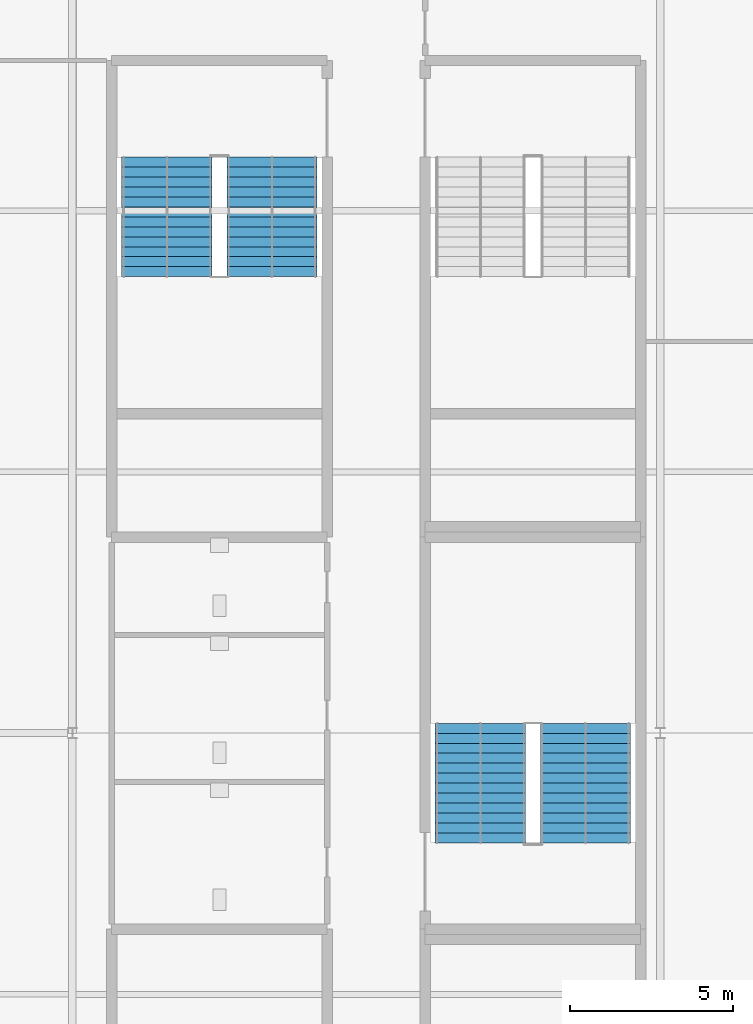
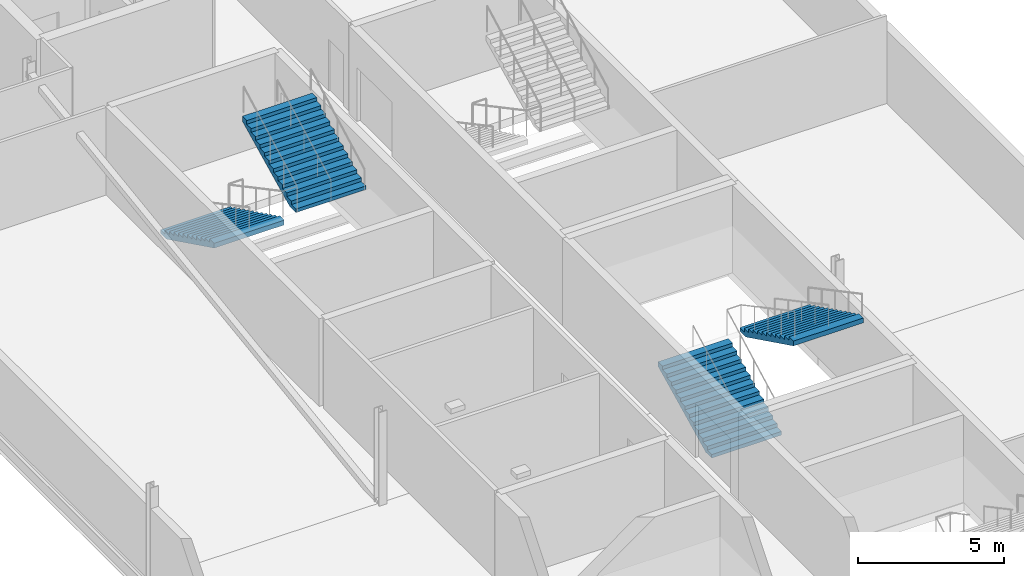
# One storey, part 19 of 27: 4 stair flights, 2 elements without a shape of their own.
"""IFC4 building model written with IfcOpenShell, lengths in metres."""

import ifcopenshell
import ifcopenshell.guid

model = None  # the IFC model being written
_history = None  # IfcOwnerHistory: only IFC2X3 demands one
_inside = {}  # id of a spatial element -> (the spatial element, [elements in it])
_under = {}  # id of a project, library or spatial element -> (it, [spatial elements below it])
_declared = {}  # id of a project -> (the project, [libraries it declares])
_typed = {}  # id of a type object -> (the type object, [elements of that type])
_made_of = {}  # id of a material, layer set ... -> (it, [elements and type objects made of it])


def new_model(schema):
    """Start an empty IFC model of exactly this schema.

    Asked for "IFC4X3", IfcOpenShell would pick the latest addendum, in which some entities
    have other attributes; the version numbers below select the first issue.
    IFC2X3 requires an IfcOwnerHistory on every rooted entity: one is made here for all.
    """
    global model, _history
    if schema == "IFC4X3":
        model = ifcopenshell.file(schema_version=(4, 3, 0, 0))
    else:
        model = ifcopenshell.file(schema=schema)
    _inside.clear()
    _under.clear()
    _declared.clear()
    _typed.clear()
    _made_of.clear()
    _history = None
    if model.schema == "IFC2X3":
        org = make("IfcOrganization", Name="unknown")
        user = make(
            "IfcPersonAndOrganization",
            ThePerson=make("IfcPerson", FamilyName="unknown"),
            TheOrganization=org,
        )
        app = make(
            "IfcApplication",
            ApplicationDeveloper=org,
            Version="unknown",
            ApplicationFullName="unknown",
            ApplicationIdentifier="unknown",
        )
        _history = make(
            "IfcOwnerHistory",
            OwningUser=user,
            OwningApplication=app,
            ChangeAction="ADDED",
            CreationDate=0,
        )
    return model


def make(cls, **values):
    """One entity of the class cls with the attributes given. An attribute that is None is left unset."""
    return model.create_entity(
        cls, **{name: value for name, value in values.items() if value is not None}
    )


def rooted(cls, **values):
    """An entity with a GlobalId (a new one), such as an element, a storey or a relation."""
    return make(cls, GlobalId=ifcopenshell.guid.new(), OwnerHistory=_history, **values)


def si_unit(unit_type, name, prefix=None):
    """IfcSIUnit, for example si_unit("LENGTHUNIT", "METRE", prefix="MILLI")."""
    return make("IfcSIUnit", UnitType=unit_type, Prefix=prefix, Name=name)


def assignment(units):
    """IfcUnitAssignment: the units of a project."""
    return None if units is None else make("IfcUnitAssignment", Units=units)


def point(xyz):
    """IfcCartesianPoint."""
    return None if xyz is None else make("IfcCartesianPoint", Coordinates=xyz)


def direction(xyz):
    """IfcDirection."""
    return None if xyz is None else make("IfcDirection", DirectionRatios=xyz)


def frame(location, z_axis=None, x_axis=None):
    """IfcAxis2Placement3D, a coordinate frame: its origin and axes. An axis left out is left unset."""
    return make(
        "IfcAxis2Placement3D",
        Location=point(location),
        Axis=direction(z_axis),
        RefDirection=direction(x_axis),
    )


def origin():
    """The frame at (0, 0, 0) with its axes left unset."""
    return frame((0.0, 0.0, 0.0))


def place(relative_to, where):
    """IfcLocalPlacement: puts the frame where relative to a parent placement (None: the world)."""
    return make(
        "IfcLocalPlacement", PlacementRelTo=relative_to, RelativePlacement=where
    )


def context(
    kind, dimensions, precision=None, world=None, true_north=None, identifier=None
):
    """IfcGeometricRepresentationContext, for example the 3D "Model" context."""
    return make(
        "IfcGeometricRepresentationContext",
        ContextIdentifier=identifier,
        ContextType=kind,
        CoordinateSpaceDimension=dimensions,
        Precision=precision,
        WorldCoordinateSystem=world,
        TrueNorth=true_north,
    )


def subcontext(parent, identifier, kind, view, scale=None):
    """IfcGeometricRepresentationSubContext, for example "Body" below "Model"."""
    return make(
        "IfcGeometricRepresentationSubContext",
        ContextIdentifier=identifier,
        ContextType=kind,
        ParentContext=parent,
        TargetScale=scale,
        TargetView=view,
    )


def project(units=None, contexts=None):
    """IfcProject with its units and contexts."""
    return rooted(
        "IfcProject",
        Name="project",
        RepresentationContexts=contexts,
        UnitsInContext=assignment(units),
    )


def spatial(cls, under=None, at=None, **own):
    """A site, building, storey or space (cls), placed at a placement, below another one or the project."""
    s = rooted(cls, ObjectPlacement=at, **own)
    if under is not None:
        _under.setdefault(under.id(), (under, []))[1].append(s)
    return s


def point_list(points):
    """IfcCartesianPointList2D or 3D."""
    cls = (
        "IfcCartesianPointList2D" if len(points[0]) == 2 else "IfcCartesianPointList3D"
    )
    return make(cls, CoordList=points)


def polygons(points, faces, closed=None, point_numbers=None):
    """IfcPolygonalFaceSet: a face is its outer loop, then its inner loops; points numbered from 1."""
    made = []
    for loops in faces:
        if len(loops) == 1:
            made.append(make("IfcIndexedPolygonalFace", CoordIndex=loops[0]))
        else:
            made.append(
                make(
                    "IfcIndexedPolygonalFaceWithVoids",
                    CoordIndex=loops[0],
                    InnerCoordIndices=loops[1:],
                )
            )
    return make(
        "IfcPolygonalFaceSet",
        Coordinates=point_list(points),
        Closed=closed,
        Faces=made,
        PnIndex=point_numbers,
    )


def shape(context_of_items, identifier, shape_type, items):
    """IfcShapeRepresentation: the items that make up one representation, for example the "Body"."""
    return make(
        "IfcShapeRepresentation",
        ContextOfItems=context_of_items,
        RepresentationIdentifier=identifier,
        RepresentationType=shape_type,
        Items=items,
    )


def material(Name=None, Category=None):
    """IfcMaterial."""
    return make("IfcMaterial", Name=Name, Category=Category)


def made_of(thing, what):
    """Note that an element or type object is made of a material, layer set ...; save() writes the relation."""
    if what is not None:
        _made_of.setdefault(what.id(), (what, []))[1].append(thing)
    return thing


def type_object(cls, material=None, **own):
    """A type object (cls), such as IfcWallType, which elements share."""
    return made_of(rooted(cls, **own), material)


def element(
    cls,
    number,
    at=None,
    inside=None,
    cuts=None,
    type_object=None,
    material=None,
    context=None,
    identifier="Body",
    shape_type=None,
    held_by="IfcProductDefinitionShape",
    body=None,
    shapes=None,
    **own,
):
    """One element of the class cls, such as IfcWall. Its Tag is "e" and its number.

    at: its placement. inside: the storey or other place that contains it. cuts: it is an
    opening in that element (IfcRelVoidsElement). A single representation is given by context,
    identifier, shape_type and body (its items); several are given by shapes. held_by: the class
    of the entity that holds the representations. save() writes the other relations.
    """
    e = rooted(cls, Tag="e%d" % number, ObjectPlacement=at, **own)
    if body is not None:
        shapes = [shape(context, identifier, shape_type, body)]
    if shapes is not None:
        e.Representation = make(held_by, Representations=shapes)
    if inside is not None:
        _inside.setdefault(inside.id(), (inside, []))[1].append(e)
    if cuts is not None:
        rooted(
            "IfcRelVoidsElement", RelatingBuildingElement=cuts, RelatedOpeningElement=e
        )
    if type_object is not None:
        _typed.setdefault(type_object.id(), (type_object, []))[1].append(e)
    return made_of(e, material)


def aggregate(whole, parts):
    """IfcRelAggregates: a whole, such as a stair, and the parts it consists of."""
    return rooted("IfcRelAggregates", RelatingObject=whole, RelatedObjects=parts)


def save(model, path):
    """Write the relations noted so far, then the file.

    IfcRelAggregates (storeys below a building ...), IfcRelContainedInSpatialStructure (elements
    in a storey), IfcRelDefinesByType, IfcRelAssociatesMaterial and IfcRelDeclares: one each for
    every whole, place, type object, material and project.
    """
    for whole, parts in _under.values():
        aggregate(whole, parts)
    for where, things in _inside.values():
        rooted(
            "IfcRelContainedInSpatialStructure",
            RelatedElements=things,
            RelatingStructure=where,
        )
    for kind, things in _typed.values():
        rooted("IfcRelDefinesByType", RelatedObjects=things, RelatingType=kind)
    for what, things in _made_of.values():
        rooted("IfcRelAssociatesMaterial", RelatedObjects=things, RelatingMaterial=what)
    for by, libraries in _declared.values():
        rooted("IfcRelDeclares", RelatingContext=by, RelatedDefinitions=libraries)
    model.write(path)


model = new_model("IFC4")

# Units and contexts
model_context = context("Model", 3, precision=1e-05, world=origin(), true_north=direction((0.0, 1.0)))
body_context = subcontext(model_context, "Body", "Model", "MODEL_VIEW")
ifc_project = project(units=[si_unit("LENGTHUNIT", "METRE"), si_unit("AREAUNIT", "SQUARE_METRE"), si_unit("VOLUMEUNIT", "CUBIC_METRE"), si_unit("PLANEANGLEUNIT", "RADIAN"), si_unit("MASSUNIT", "GRAM", prefix="KILO")], contexts=[model_context])

# Site, building, storey
site_placement = place(None, origin())
site = spatial("IfcSite", under=ifc_project, at=site_placement, CompositionType="ELEMENT")
building_placement = place(site_placement, origin())
building = spatial("IfcBuilding", under=site, at=building_placement, Name="Kisiwana Market Hall", CompositionType="ELEMENT")
storey_placement = place(building_placement, frame((0.0, 0.0, 41.699951171875)))
storey = spatial("IfcBuildingStorey", under=building, at=storey_placement, Name="L09", CompositionType="ELEMENT", Elevation=41.699951171875)

# Stair, stair flights
ifc_material_1 = material(Name="Concrete C32/40", Category="concrete")
stair_type = type_object("IfcStairType", Name="ST-ESC-3900", PredefinedType="TWO_STRAIGHT_RUN_STAIR", material=ifc_material_1)
stair_1_placement = place(storey_placement, origin())
stair_1 = element("IfcStair", 1, at=stair_1_placement, inside=storey, type_object=stair_type, Name="Escape stair ST-W4-L09", PredefinedType="TWO_STRAIGHT_RUN_STAIR")
ifc_material_2 = material(Name="Concrete C32/40", Category="concrete")
stair_flight_type = type_object("IfcStairFlightType", Name="SF-ESC-3900", PredefinedType="STRAIGHT", material=ifc_material_2)
stair_flight_1_placement = place(storey_placement, frame((11.889892578125, 77.639892578125, 0.0), z_axis=(0.0, 0.0, 1.0), x_axis=(0.0, -1.0, 0.0)))
stair_flight_1 = element("IfcStairFlight", 2, at=stair_flight_1_placement, type_object=stair_flight_type, Name="ST-W4-L09 flight 1", NumberOfRisers=13, NumberOfTreads=12, PredefinedType="STRAIGHT", RiserHeight=0.15, TreadLength=0.305, context=body_context, shape_type="Tessellation", body=[
    polygons([(0.0, -1.380127, 0.0), (0.0, -0.690125, 0.0), (0.0, -0.000122, 0.0), (0.0, 0.68988, 0.0), (0.0, 1.379883, 0.0), (0.0, -1.380127, 0.149902), (0.0, -0.690125, 0.149902), (0.0, -0.000122, 0.149902), (0.0, 0.68988, 0.149902), (0.0, 1.379883, 0.149902), (0.304932, -1.380127, 0.149902), (0.304932, -0.690125, 0.149902), (0.304932, -0.000122, 0.149902), (0.304932, 0.68988, 0.149902), (0.304932, 1.379883, 0.149902), (0.304932, -1.380127, 0.300049), (0.304932, -0.690125, 0.300049), (0.304932, -0.000122, 0.300049), (0.304932, 0.68988, 0.300049), (0.304932, 1.379883, 0.300049), (0.610107, -1.380127, 0.300049), (0.610107, -0.690125, 0.300049), (0.610107, -0.000122, 0.300049), (0.610107, 0.68988, 0.300049), (0.610107, 1.379883, 0.300049), (0.610107, -1.380127, 0.449951), (0.610107, -0.690125, 0.449951), (0.610107, -0.000122, 0.449951), (0.610107, 0.68988, 0.449951), (0.610107, 1.379883, 0.449951), (0.915039, -1.380127, 0.449951), (0.915039, -0.690125, 0.449951), (0.915039, -0.000122, 0.449951), (0.915039, 0.68988, 0.449951), (0.915039, 1.379883, 0.449951), (0.915039, -1.380127, 0.600098), (0.915039, -0.690125, 0.600098), (0.915039, -0.000122, 0.600098), (0.915039, 0.68988, 0.600098), (0.915039, 1.379883, 0.600098), (1.219971, -1.380127, 0.600098), (1.219971, -0.690125, 0.600098), (1.219971, -0.000122, 0.600098), (1.219971, 0.68988, 0.600098), (1.219971, 1.379883, 0.600098), (1.219971, -1.380127, 0.75), (1.219971, -0.690125, 0.75), (1.219971, -0.000122, 0.75), (1.219971, 0.68988, 0.75), (1.219971, 1.379883, 0.75), (1.524902, -1.380127, 0.75), (1.524902, -0.690125, 0.75), (1.524902, -0.000122, 0.75), (1.524902, 0.68988, 0.75), (1.524902, 1.379883, 0.75), (1.524902, -1.380127, 0.899902), (1.524902, -0.690125, 0.899902), (1.524902, -0.000122, 0.899902), (1.524902, 0.68988, 0.899902), (1.524902, 1.379883, 0.899902), (1.830078, -1.380127, 0.899902), (1.830078, -0.690125, 0.899902), (1.830078, -0.000122, 0.899902), (1.830078, 0.68988, 0.899902), (1.830078, 1.379883, 0.899902), (1.830078, -1.380127, 1.050049), (1.830078, -0.690125, 1.050049), (1.830078, -0.000122, 1.050049), (1.830078, 0.68988, 1.050049), (1.830078, 1.379883, 1.050049), (2.13501, -1.380127, 1.050049), (2.13501, -0.690125, 1.050049), (2.13501, -0.000122, 1.050049), (2.13501, 0.68988, 1.050049), (2.13501, 1.379883, 1.050049), (2.13501, -1.380127, 1.199951), (2.13501, -0.690125, 1.199951), (2.13501, -0.000122, 1.199951), (2.13501, 0.68988, 1.199951), (2.13501, 1.379883, 1.199951), (2.439941, -1.380127, 1.199951), (2.439941, -0.690125, 1.199951), (2.439941, -0.000122, 1.199951), (2.439941, 0.68988, 1.199951), (2.439941, 1.379883, 1.199951), (2.439941, -1.380127, 1.350098), (2.439941, -0.690125, 1.350098), (2.439941, -0.000122, 1.350098), (2.439941, 0.68988, 1.350098), (2.439941, 1.379883, 1.350098), (2.745117, -1.380127, 1.350098), (2.745117, -0.690125, 1.350098), (2.745117, -0.000122, 1.350098), (2.745117, 0.68988, 1.350098), (2.745117, 1.379883, 1.350098), (2.745117, -1.380127, 1.5), (2.745117, -0.690125, 1.5), (2.745117, -0.000122, 1.5), (2.745117, 0.68988, 1.5), (2.745117, 1.379883, 1.5), (3.050049, -1.380127, 1.5), (3.050049, -0.690125, 1.5), (3.050049, -0.000122, 1.5), (3.050049, 0.68988, 1.5), (3.050049, 1.379883, 1.5), (3.050049, -1.380127, 1.649902), (3.050049, -0.690125, 1.649902), (3.050049, -0.000122, 1.649902), (3.050049, 0.68988, 1.649902), (3.050049, 1.379883, 1.649902), (3.35498, -1.380127, 1.649902), (3.35498, -0.690125, 1.649902), (3.35498, -0.000122, 1.649902), (3.35498, 0.68988, 1.649902), (3.35498, 1.379883, 1.649902), (3.35498, -1.380127, 1.800049), (3.35498, -0.690125, 1.800049), (3.35498, -0.000122, 1.800049), (3.35498, 0.68988, 1.800049), (3.35498, 1.379883, 1.800049), (3.659912, -1.380127, 1.800049), (3.659912, -0.690125, 1.800049), (3.659912, -0.000122, 1.800049), (3.659912, 0.68988, 1.800049), (3.659912, 1.379883, 1.800049), (3.659912, -1.380127, 1.599365), (3.659912, -0.690125, 1.599365), (3.659912, -0.000122, 1.599365), (3.659912, 0.68988, 1.599365), (3.659912, 1.379883, 1.599365), (0.407715, -1.380127, 0.0), (0.407715, -0.690125, 0.0), (0.407715, -0.000122, 0.0), (0.407715, 0.68988, 0.0), (0.407715, 1.379883, 0.0)], [[[1, 6, 7, 2]], [[2, 7, 8, 3]], [[3, 8, 9, 4]], [[4, 9, 10, 5]], [[6, 11, 12, 7]], [[7, 12, 13, 8]], [[8, 13, 14, 9]], [[9, 14, 15, 10]], [[11, 16, 17, 12]], [[12, 17, 18, 13]], [[13, 18, 19, 14]], [[14, 19, 20, 15]], [[16, 21, 22, 17]], [[17, 22, 23, 18]], [[18, 23, 24, 19]], [[19, 24, 25, 20]], [[21, 26, 27, 22]], [[22, 27, 28, 23]], [[23, 28, 29, 24]], [[24, 29, 30, 25]], [[26, 31, 32, 27]], [[27, 32, 33, 28]], [[28, 33, 34, 29]], [[29, 34, 35, 30]], [[31, 36, 37, 32]], [[32, 37, 38, 33]], [[33, 38, 39, 34]], [[34, 39, 40, 35]], [[36, 41, 42, 37]], [[37, 42, 43, 38]], [[38, 43, 44, 39]], [[39, 44, 45, 40]], [[41, 46, 47, 42]], [[42, 47, 48, 43]], [[43, 48, 49, 44]], [[44, 49, 50, 45]], [[46, 51, 52, 47]], [[47, 52, 53, 48]], [[48, 53, 54, 49]], [[49, 54, 55, 50]], [[51, 56, 57, 52]], [[52, 57, 58, 53]], [[53, 58, 59, 54]], [[54, 59, 60, 55]], [[56, 61, 62, 57]], [[57, 62, 63, 58]], [[58, 63, 64, 59]], [[59, 64, 65, 60]], [[61, 66, 67, 62]], [[62, 67, 68, 63]], [[63, 68, 69, 64]], [[64, 69, 70, 65]], [[66, 71, 72, 67]], [[67, 72, 73, 68]], [[68, 73, 74, 69]], [[69, 74, 75, 70]], [[71, 76, 77, 72]], [[72, 77, 78, 73]], [[73, 78, 79, 74]], [[74, 79, 80, 75]], [[76, 81, 82, 77]], [[77, 82, 83, 78]], [[78, 83, 84, 79]], [[79, 84, 85, 80]], [[81, 86, 87, 82]], [[82, 87, 88, 83]], [[83, 88, 89, 84]], [[84, 89, 90, 85]], [[86, 91, 92, 87]], [[87, 92, 93, 88]], [[88, 93, 94, 89]], [[89, 94, 95, 90]], [[91, 96, 97, 92]], [[92, 97, 98, 93]], [[93, 98, 99, 94]], [[94, 99, 100, 95]], [[96, 101, 102, 97]], [[97, 102, 103, 98]], [[98, 103, 104, 99]], [[99, 104, 105, 100]], [[101, 106, 107, 102]], [[102, 107, 108, 103]], [[103, 108, 109, 104]], [[104, 109, 110, 105]], [[106, 111, 112, 107]], [[107, 112, 113, 108]], [[108, 113, 114, 109]], [[109, 114, 115, 110]], [[111, 116, 117, 112]], [[112, 117, 118, 113]], [[113, 118, 119, 114]], [[114, 119, 120, 115]], [[116, 121, 122, 117]], [[117, 122, 123, 118]], [[118, 123, 124, 119]], [[119, 124, 125, 120]], [[121, 126, 127, 122]], [[122, 127, 128, 123]], [[123, 128, 129, 124]], [[124, 129, 130, 125]], [[126, 131, 132, 127]], [[127, 132, 133, 128]], [[128, 133, 134, 129]], [[129, 134, 135, 130]], [[131, 1, 2, 132]], [[132, 2, 3, 133]], [[133, 3, 4, 134]], [[134, 4, 5, 135]], [[131, 126, 121, 116, 111, 106, 101, 96, 91, 86, 81, 76, 71, 66, 61, 56, 51, 46, 41, 36, 31, 26, 21, 16, 11, 6, 1]], [[5, 10, 15, 20, 25, 30, 35, 40, 45, 50, 55, 60, 65, 70, 75, 80, 85, 90, 95, 100, 105, 110, 115, 120, 125, 130, 135]]], closed=True),
])
stair_flight_2_placement = place(storey_placement, frame((15.110107421875, 73.97998046875, 1.949951171875), z_axis=(0.0, 0.0, 1.0), x_axis=(0.0, 1.0, 0.0)))
stair_flight_2 = element("IfcStairFlight", 3, at=stair_flight_2_placement, type_object=stair_flight_type, Name="ST-W4-L09 flight 2", NumberOfRisers=13, NumberOfTreads=12, PredefinedType="STRAIGHT", RiserHeight=0.15, TreadLength=0.305, context=body_context, shape_type="Tessellation", body=[
    polygons([(0.0, -1.380127, 0.0), (0.0, -0.690125, 0.0), (0.0, -0.000122, 0.0), (0.0, 0.68988, 0.0), (0.0, 1.379883, 0.0), (0.0, -1.380127, 0.149902), (0.0, -0.690125, 0.149902), (0.0, -0.000122, 0.149902), (0.0, 0.68988, 0.149902), (0.0, 1.379883, 0.149902), (0.304932, -1.380127, 0.149902), (0.304932, -0.690125, 0.149902), (0.304932, -0.000122, 0.149902), (0.304932, 0.68988, 0.149902), (0.304932, 1.379883, 0.149902), (0.304932, -1.380127, 0.300049), (0.304932, -0.690125, 0.300049), (0.304932, -0.000122, 0.300049), (0.304932, 0.68988, 0.300049), (0.304932, 1.379883, 0.300049), (0.610107, -1.380127, 0.300049), (0.610107, -0.690125, 0.300049), (0.610107, -0.000122, 0.300049), (0.610107, 0.68988, 0.300049), (0.610107, 1.379883, 0.300049), (0.610107, -1.380127, 0.449951), (0.610107, -0.690125, 0.449951), (0.610107, -0.000122, 0.449951), (0.610107, 0.68988, 0.449951), (0.610107, 1.379883, 0.449951), (0.915039, -1.380127, 0.449951), (0.915039, -0.690125, 0.449951), (0.915039, -0.000122, 0.449951), (0.915039, 0.68988, 0.449951), (0.915039, 1.379883, 0.449951), (0.915039, -1.380127, 0.600098), (0.915039, -0.690125, 0.600098), (0.915039, -0.000122, 0.600098), (0.915039, 0.68988, 0.600098), (0.915039, 1.379883, 0.600098), (1.219971, -1.380127, 0.600098), (1.219971, -0.690125, 0.600098), (1.219971, -0.000122, 0.600098), (1.219971, 0.68988, 0.600098), (1.219971, 1.379883, 0.600098), (1.219971, -1.380127, 0.75), (1.219971, -0.690125, 0.75), (1.219971, -0.000122, 0.75), (1.219971, 0.68988, 0.75), (1.219971, 1.379883, 0.75), (1.524902, -1.380127, 0.75), (1.524902, -0.690125, 0.75), (1.524902, -0.000122, 0.75), (1.524902, 0.68988, 0.75), (1.524902, 1.379883, 0.75), (1.524902, -1.380127, 0.899902), (1.524902, -0.690125, 0.899902), (1.524902, -0.000122, 0.899902), (1.524902, 0.68988, 0.899902), (1.524902, 1.379883, 0.899902), (1.830078, -1.380127, 0.899902), (1.830078, -0.690125, 0.899902), (1.830078, -0.000122, 0.899902), (1.830078, 0.68988, 0.899902), (1.830078, 1.379883, 0.899902), (1.830078, -1.380127, 1.050049), (1.830078, -0.690125, 1.050049), (1.830078, -0.000122, 1.050049), (1.830078, 0.68988, 1.050049), (1.830078, 1.379883, 1.050049), (2.13501, -1.380127, 1.050049), (2.13501, -0.690125, 1.050049), (2.13501, -0.000122, 1.050049), (2.13501, 0.68988, 1.050049), (2.13501, 1.379883, 1.050049), (2.13501, -1.380127, 1.199951), (2.13501, -0.690125, 1.199951), (2.13501, -0.000122, 1.199951), (2.13501, 0.68988, 1.199951), (2.13501, 1.379883, 1.199951), (2.439941, -1.380127, 1.199951), (2.439941, -0.690125, 1.199951), (2.439941, -0.000122, 1.199951), (2.439941, 0.68988, 1.199951), (2.439941, 1.379883, 1.199951), (2.439941, -1.380127, 1.350098), (2.439941, -0.690125, 1.350098), (2.439941, -0.000122, 1.350098), (2.439941, 0.68988, 1.350098), (2.439941, 1.379883, 1.350098), (2.745117, -1.380127, 1.350098), (2.745117, -0.690125, 1.350098), (2.745117, -0.000122, 1.350098), (2.745117, 0.68988, 1.350098), (2.745117, 1.379883, 1.350098), (2.745117, -1.380127, 1.5), (2.745117, -0.690125, 1.5), (2.745117, -0.000122, 1.5), (2.745117, 0.68988, 1.5), (2.745117, 1.379883, 1.5), (3.050049, -1.380127, 1.5), (3.050049, -0.690125, 1.5), (3.050049, -0.000122, 1.5), (3.050049, 0.68988, 1.5), (3.050049, 1.379883, 1.5), (3.050049, -1.380127, 1.649902), (3.050049, -0.690125, 1.649902), (3.050049, -0.000122, 1.649902), (3.050049, 0.68988, 1.649902), (3.050049, 1.379883, 1.649902), (3.35498, -1.380127, 1.649902), (3.35498, -0.690125, 1.649902), (3.35498, -0.000122, 1.649902), (3.35498, 0.68988, 1.649902), (3.35498, 1.379883, 1.649902), (3.35498, -1.380127, 1.800049), (3.35498, -0.690125, 1.800049), (3.35498, -0.000122, 1.800049), (3.35498, 0.68988, 1.800049), (3.35498, 1.379883, 1.800049), (3.659912, -1.380127, 1.800049), (3.659912, -0.690125, 1.800049), (3.659912, -0.000122, 1.800049), (3.659912, 0.68988, 1.800049), (3.659912, 1.379883, 1.800049), (3.659912, -1.380127, 1.599365), (3.659912, -0.690125, 1.599365), (3.659912, -0.000122, 1.599365), (3.659912, 0.68988, 1.599365), (3.659912, 1.379883, 1.599365), (0.407715, -1.380127, 0.0), (0.407715, -0.690125, 0.0), (0.407715, -0.000122, 0.0), (0.407715, 0.68988, 0.0), (0.407715, 1.379883, 0.0)], [[[1, 6, 7, 2]], [[2, 7, 8, 3]], [[3, 8, 9, 4]], [[4, 9, 10, 5]], [[6, 11, 12, 7]], [[7, 12, 13, 8]], [[8, 13, 14, 9]], [[9, 14, 15, 10]], [[11, 16, 17, 12]], [[12, 17, 18, 13]], [[13, 18, 19, 14]], [[14, 19, 20, 15]], [[16, 21, 22, 17]], [[17, 22, 23, 18]], [[18, 23, 24, 19]], [[19, 24, 25, 20]], [[21, 26, 27, 22]], [[22, 27, 28, 23]], [[23, 28, 29, 24]], [[24, 29, 30, 25]], [[26, 31, 32, 27]], [[27, 32, 33, 28]], [[28, 33, 34, 29]], [[29, 34, 35, 30]], [[31, 36, 37, 32]], [[32, 37, 38, 33]], [[33, 38, 39, 34]], [[34, 39, 40, 35]], [[36, 41, 42, 37]], [[37, 42, 43, 38]], [[38, 43, 44, 39]], [[39, 44, 45, 40]], [[41, 46, 47, 42]], [[42, 47, 48, 43]], [[43, 48, 49, 44]], [[44, 49, 50, 45]], [[46, 51, 52, 47]], [[47, 52, 53, 48]], [[48, 53, 54, 49]], [[49, 54, 55, 50]], [[51, 56, 57, 52]], [[52, 57, 58, 53]], [[53, 58, 59, 54]], [[54, 59, 60, 55]], [[56, 61, 62, 57]], [[57, 62, 63, 58]], [[58, 63, 64, 59]], [[59, 64, 65, 60]], [[61, 66, 67, 62]], [[62, 67, 68, 63]], [[63, 68, 69, 64]], [[64, 69, 70, 65]], [[66, 71, 72, 67]], [[67, 72, 73, 68]], [[68, 73, 74, 69]], [[69, 74, 75, 70]], [[71, 76, 77, 72]], [[72, 77, 78, 73]], [[73, 78, 79, 74]], [[74, 79, 80, 75]], [[76, 81, 82, 77]], [[77, 82, 83, 78]], [[78, 83, 84, 79]], [[79, 84, 85, 80]], [[81, 86, 87, 82]], [[82, 87, 88, 83]], [[83, 88, 89, 84]], [[84, 89, 90, 85]], [[86, 91, 92, 87]], [[87, 92, 93, 88]], [[88, 93, 94, 89]], [[89, 94, 95, 90]], [[91, 96, 97, 92]], [[92, 97, 98, 93]], [[93, 98, 99, 94]], [[94, 99, 100, 95]], [[96, 101, 102, 97]], [[97, 102, 103, 98]], [[98, 103, 104, 99]], [[99, 104, 105, 100]], [[101, 106, 107, 102]], [[102, 107, 108, 103]], [[103, 108, 109, 104]], [[104, 109, 110, 105]], [[106, 111, 112, 107]], [[107, 112, 113, 108]], [[108, 113, 114, 109]], [[109, 114, 115, 110]], [[111, 116, 117, 112]], [[112, 117, 118, 113]], [[113, 118, 119, 114]], [[114, 119, 120, 115]], [[116, 121, 122, 117]], [[117, 122, 123, 118]], [[118, 123, 124, 119]], [[119, 124, 125, 120]], [[121, 126, 127, 122]], [[122, 127, 128, 123]], [[123, 128, 129, 124]], [[124, 129, 130, 125]], [[126, 131, 132, 127]], [[127, 132, 133, 128]], [[128, 133, 134, 129]], [[129, 134, 135, 130]], [[131, 1, 2, 132]], [[132, 2, 3, 133]], [[133, 3, 4, 134]], [[134, 4, 5, 135]], [[131, 126, 121, 116, 111, 106, 101, 96, 91, 86, 81, 76, 71, 66, 61, 56, 51, 46, 41, 36, 31, 26, 21, 16, 11, 6, 1]], [[5, 10, 15, 20, 25, 30, 35, 40, 45, 50, 55, 60, 65, 70, 75, 80, 85, 90, 95, 100, 105, 110, 115, 120, 125, 130, 135]]], closed=True),
])
aggregate(stair_1, [stair_flight_1, stair_flight_2])

stair_2_placement = place(storey_placement, origin())
stair_2 = element("IfcStair", 4, at=stair_2_placement, inside=storey, type_object=stair_type, Name="Escape stair ST-W5-L09", PredefinedType="TWO_STRAIGHT_RUN_STAIR")
stair_flight_3_placement = place(storey_placement, frame((21.489990234375, 56.639892578125, 0.0), z_axis=(0.0, 0.0, 1.0), x_axis=(0.0, 1.0, 0.0)))
stair_flight_3 = element("IfcStairFlight", 5, at=stair_flight_3_placement, type_object=stair_flight_type, Name="ST-W5-L09 flight 1", NumberOfRisers=13, NumberOfTreads=12, PredefinedType="STRAIGHT", RiserHeight=0.15, TreadLength=0.305, context=body_context, shape_type="Tessellation", body=[
    polygons([(0.0, -1.380127, 0.0), (0.0, -0.690125, 0.0), (0.0, -0.000122, 0.0), (0.0, 0.68988, 0.0), (0.0, 1.379883, 0.0), (0.0, -1.380127, 0.149902), (0.0, -0.690125, 0.149902), (0.0, -0.000122, 0.149902), (0.0, 0.68988, 0.149902), (0.0, 1.379883, 0.149902), (0.304932, -1.380127, 0.149902), (0.304932, -0.690125, 0.149902), (0.304932, -0.000122, 0.149902), (0.304932, 0.68988, 0.149902), (0.304932, 1.379883, 0.149902), (0.304932, -1.380127, 0.300049), (0.304932, -0.690125, 0.300049), (0.304932, -0.000122, 0.300049), (0.304932, 0.68988, 0.300049), (0.304932, 1.379883, 0.300049), (0.610107, -1.380127, 0.300049), (0.610107, -0.690125, 0.300049), (0.610107, -0.000122, 0.300049), (0.610107, 0.68988, 0.300049), (0.610107, 1.379883, 0.300049), (0.610107, -1.380127, 0.449951), (0.610107, -0.690125, 0.449951), (0.610107, -0.000122, 0.449951), (0.610107, 0.68988, 0.449951), (0.610107, 1.379883, 0.449951), (0.915039, -1.380127, 0.449951), (0.915039, -0.690125, 0.449951), (0.915039, -0.000122, 0.449951), (0.915039, 0.68988, 0.449951), (0.915039, 1.379883, 0.449951), (0.915039, -1.380127, 0.600098), (0.915039, -0.690125, 0.600098), (0.915039, -0.000122, 0.600098), (0.915039, 0.68988, 0.600098), (0.915039, 1.379883, 0.600098), (1.219971, -1.380127, 0.600098), (1.219971, -0.690125, 0.600098), (1.219971, -0.000122, 0.600098), (1.219971, 0.68988, 0.600098), (1.219971, 1.379883, 0.600098), (1.219971, -1.380127, 0.75), (1.219971, -0.690125, 0.75), (1.219971, -0.000122, 0.75), (1.219971, 0.68988, 0.75), (1.219971, 1.379883, 0.75), (1.524902, -1.380127, 0.75), (1.524902, -0.690125, 0.75), (1.524902, -0.000122, 0.75), (1.524902, 0.68988, 0.75), (1.524902, 1.379883, 0.75), (1.524902, -1.380127, 0.899902), (1.524902, -0.690125, 0.899902), (1.524902, -0.000122, 0.899902), (1.524902, 0.68988, 0.899902), (1.524902, 1.379883, 0.899902), (1.830078, -1.380127, 0.899902), (1.830078, -0.690125, 0.899902), (1.830078, -0.000122, 0.899902), (1.830078, 0.68988, 0.899902), (1.830078, 1.379883, 0.899902), (1.830078, -1.380127, 1.050049), (1.830078, -0.690125, 1.050049), (1.830078, -0.000122, 1.050049), (1.830078, 0.68988, 1.050049), (1.830078, 1.379883, 1.050049), (2.13501, -1.380127, 1.050049), (2.13501, -0.690125, 1.050049), (2.13501, -0.000122, 1.050049), (2.13501, 0.68988, 1.050049), (2.13501, 1.379883, 1.050049), (2.13501, -1.380127, 1.199951), (2.13501, -0.690125, 1.199951), (2.13501, -0.000122, 1.199951), (2.13501, 0.68988, 1.199951), (2.13501, 1.379883, 1.199951), (2.439941, -1.380127, 1.199951), (2.439941, -0.690125, 1.199951), (2.439941, -0.000122, 1.199951), (2.439941, 0.68988, 1.199951), (2.439941, 1.379883, 1.199951), (2.439941, -1.380127, 1.350098), (2.439941, -0.690125, 1.350098), (2.439941, -0.000122, 1.350098), (2.439941, 0.68988, 1.350098), (2.439941, 1.379883, 1.350098), (2.745117, -1.380127, 1.350098), (2.745117, -0.690125, 1.350098), (2.745117, -0.000122, 1.350098), (2.745117, 0.68988, 1.350098), (2.745117, 1.379883, 1.350098), (2.745117, -1.380127, 1.5), (2.745117, -0.690125, 1.5), (2.745117, -0.000122, 1.5), (2.745117, 0.68988, 1.5), (2.745117, 1.379883, 1.5), (3.050049, -1.380127, 1.5), (3.050049, -0.690125, 1.5), (3.050049, -0.000122, 1.5), (3.050049, 0.68988, 1.5), (3.050049, 1.379883, 1.5), (3.050049, -1.380127, 1.649902), (3.050049, -0.690125, 1.649902), (3.050049, -0.000122, 1.649902), (3.050049, 0.68988, 1.649902), (3.050049, 1.379883, 1.649902), (3.35498, -1.380127, 1.649902), (3.35498, -0.690125, 1.649902), (3.35498, -0.000122, 1.649902), (3.35498, 0.68988, 1.649902), (3.35498, 1.379883, 1.649902), (3.35498, -1.380127, 1.800049), (3.35498, -0.690125, 1.800049), (3.35498, -0.000122, 1.800049), (3.35498, 0.68988, 1.800049), (3.35498, 1.379883, 1.800049), (3.659912, -1.380127, 1.800049), (3.659912, -0.690125, 1.800049), (3.659912, -0.000122, 1.800049), (3.659912, 0.68988, 1.800049), (3.659912, 1.379883, 1.800049), (3.659912, -1.380127, 1.599365), (3.659912, -0.690125, 1.599365), (3.659912, -0.000122, 1.599365), (3.659912, 0.68988, 1.599365), (3.659912, 1.379883, 1.599365), (0.407715, -1.380127, 0.0), (0.407715, -0.690125, 0.0), (0.407715, -0.000122, 0.0), (0.407715, 0.68988, 0.0), (0.407715, 1.379883, 0.0)], [[[1, 6, 7, 2]], [[2, 7, 8, 3]], [[3, 8, 9, 4]], [[4, 9, 10, 5]], [[6, 11, 12, 7]], [[7, 12, 13, 8]], [[8, 13, 14, 9]], [[9, 14, 15, 10]], [[11, 16, 17, 12]], [[12, 17, 18, 13]], [[13, 18, 19, 14]], [[14, 19, 20, 15]], [[16, 21, 22, 17]], [[17, 22, 23, 18]], [[18, 23, 24, 19]], [[19, 24, 25, 20]], [[21, 26, 27, 22]], [[22, 27, 28, 23]], [[23, 28, 29, 24]], [[24, 29, 30, 25]], [[26, 31, 32, 27]], [[27, 32, 33, 28]], [[28, 33, 34, 29]], [[29, 34, 35, 30]], [[31, 36, 37, 32]], [[32, 37, 38, 33]], [[33, 38, 39, 34]], [[34, 39, 40, 35]], [[36, 41, 42, 37]], [[37, 42, 43, 38]], [[38, 43, 44, 39]], [[39, 44, 45, 40]], [[41, 46, 47, 42]], [[42, 47, 48, 43]], [[43, 48, 49, 44]], [[44, 49, 50, 45]], [[46, 51, 52, 47]], [[47, 52, 53, 48]], [[48, 53, 54, 49]], [[49, 54, 55, 50]], [[51, 56, 57, 52]], [[52, 57, 58, 53]], [[53, 58, 59, 54]], [[54, 59, 60, 55]], [[56, 61, 62, 57]], [[57, 62, 63, 58]], [[58, 63, 64, 59]], [[59, 64, 65, 60]], [[61, 66, 67, 62]], [[62, 67, 68, 63]], [[63, 68, 69, 64]], [[64, 69, 70, 65]], [[66, 71, 72, 67]], [[67, 72, 73, 68]], [[68, 73, 74, 69]], [[69, 74, 75, 70]], [[71, 76, 77, 72]], [[72, 77, 78, 73]], [[73, 78, 79, 74]], [[74, 79, 80, 75]], [[76, 81, 82, 77]], [[77, 82, 83, 78]], [[78, 83, 84, 79]], [[79, 84, 85, 80]], [[81, 86, 87, 82]], [[82, 87, 88, 83]], [[83, 88, 89, 84]], [[84, 89, 90, 85]], [[86, 91, 92, 87]], [[87, 92, 93, 88]], [[88, 93, 94, 89]], [[89, 94, 95, 90]], [[91, 96, 97, 92]], [[92, 97, 98, 93]], [[93, 98, 99, 94]], [[94, 99, 100, 95]], [[96, 101, 102, 97]], [[97, 102, 103, 98]], [[98, 103, 104, 99]], [[99, 104, 105, 100]], [[101, 106, 107, 102]], [[102, 107, 108, 103]], [[103, 108, 109, 104]], [[104, 109, 110, 105]], [[106, 111, 112, 107]], [[107, 112, 113, 108]], [[108, 113, 114, 109]], [[109, 114, 115, 110]], [[111, 116, 117, 112]], [[112, 117, 118, 113]], [[113, 118, 119, 114]], [[114, 119, 120, 115]], [[116, 121, 122, 117]], [[117, 122, 123, 118]], [[118, 123, 124, 119]], [[119, 124, 125, 120]], [[121, 126, 127, 122]], [[122, 127, 128, 123]], [[123, 128, 129, 124]], [[124, 129, 130, 125]], [[126, 131, 132, 127]], [[127, 132, 133, 128]], [[128, 133, 134, 129]], [[129, 134, 135, 130]], [[131, 1, 2, 132]], [[132, 2, 3, 133]], [[133, 3, 4, 134]], [[134, 4, 5, 135]], [[131, 126, 121, 116, 111, 106, 101, 96, 91, 86, 81, 76, 71, 66, 61, 56, 51, 46, 41, 36, 31, 26, 21, 16, 11, 6, 1]], [[5, 10, 15, 20, 25, 30, 35, 40, 45, 50, 55, 60, 65, 70, 75, 80, 85, 90, 95, 100, 105, 110, 115, 120, 125, 130, 135]]], closed=True),
])
stair_flight_4_placement = place(storey_placement, frame((24.7099609375, 60.300048828125, 1.949951171875), z_axis=(0.0, 0.0, 1.0), x_axis=(0.0, -1.0, 0.0)))
stair_flight_4 = element("IfcStairFlight", 6, at=stair_flight_4_placement, type_object=stair_flight_type, Name="ST-W5-L09 flight 2", NumberOfRisers=13, NumberOfTreads=12, PredefinedType="STRAIGHT", RiserHeight=0.15, TreadLength=0.305, context=body_context, shape_type="Tessellation", body=[
    polygons([(0.0, -1.380127, 0.0), (0.0, -0.690125, 0.0), (0.0, -0.000122, 0.0), (0.0, 0.68988, 0.0), (0.0, 1.379883, 0.0), (0.0, -1.380127, 0.149902), (0.0, -0.690125, 0.149902), (0.0, -0.000122, 0.149902), (0.0, 0.68988, 0.149902), (0.0, 1.379883, 0.149902), (0.304932, -1.380127, 0.149902), (0.304932, -0.690125, 0.149902), (0.304932, -0.000122, 0.149902), (0.304932, 0.68988, 0.149902), (0.304932, 1.379883, 0.149902), (0.304932, -1.380127, 0.300049), (0.304932, -0.690125, 0.300049), (0.304932, -0.000122, 0.300049), (0.304932, 0.68988, 0.300049), (0.304932, 1.379883, 0.300049), (0.610107, -1.380127, 0.300049), (0.610107, -0.690125, 0.300049), (0.610107, -0.000122, 0.300049), (0.610107, 0.68988, 0.300049), (0.610107, 1.379883, 0.300049), (0.610107, -1.380127, 0.449951), (0.610107, -0.690125, 0.449951), (0.610107, -0.000122, 0.449951), (0.610107, 0.68988, 0.449951), (0.610107, 1.379883, 0.449951), (0.915039, -1.380127, 0.449951), (0.915039, -0.690125, 0.449951), (0.915039, -0.000122, 0.449951), (0.915039, 0.68988, 0.449951), (0.915039, 1.379883, 0.449951), (0.915039, -1.380127, 0.600098), (0.915039, -0.690125, 0.600098), (0.915039, -0.000122, 0.600098), (0.915039, 0.68988, 0.600098), (0.915039, 1.379883, 0.600098), (1.219971, -1.380127, 0.600098), (1.219971, -0.690125, 0.600098), (1.219971, -0.000122, 0.600098), (1.219971, 0.68988, 0.600098), (1.219971, 1.379883, 0.600098), (1.219971, -1.380127, 0.75), (1.219971, -0.690125, 0.75), (1.219971, -0.000122, 0.75), (1.219971, 0.68988, 0.75), (1.219971, 1.379883, 0.75), (1.524902, -1.380127, 0.75), (1.524902, -0.690125, 0.75), (1.524902, -0.000122, 0.75), (1.524902, 0.68988, 0.75), (1.524902, 1.379883, 0.75), (1.524902, -1.380127, 0.899902), (1.524902, -0.690125, 0.899902), (1.524902, -0.000122, 0.899902), (1.524902, 0.68988, 0.899902), (1.524902, 1.379883, 0.899902), (1.830078, -1.380127, 0.899902), (1.830078, -0.690125, 0.899902), (1.830078, -0.000122, 0.899902), (1.830078, 0.68988, 0.899902), (1.830078, 1.379883, 0.899902), (1.830078, -1.380127, 1.050049), (1.830078, -0.690125, 1.050049), (1.830078, -0.000122, 1.050049), (1.830078, 0.68988, 1.050049), (1.830078, 1.379883, 1.050049), (2.13501, -1.380127, 1.050049), (2.13501, -0.690125, 1.050049), (2.13501, -0.000122, 1.050049), (2.13501, 0.68988, 1.050049), (2.13501, 1.379883, 1.050049), (2.13501, -1.380127, 1.199951), (2.13501, -0.690125, 1.199951), (2.13501, -0.000122, 1.199951), (2.13501, 0.68988, 1.199951), (2.13501, 1.379883, 1.199951), (2.439941, -1.380127, 1.199951), (2.439941, -0.690125, 1.199951), (2.439941, -0.000122, 1.199951), (2.439941, 0.68988, 1.199951), (2.439941, 1.379883, 1.199951), (2.439941, -1.380127, 1.350098), (2.439941, -0.690125, 1.350098), (2.439941, -0.000122, 1.350098), (2.439941, 0.68988, 1.350098), (2.439941, 1.379883, 1.350098), (2.745117, -1.380127, 1.350098), (2.745117, -0.690125, 1.350098), (2.745117, -0.000122, 1.350098), (2.745117, 0.68988, 1.350098), (2.745117, 1.379883, 1.350098), (2.745117, -1.380127, 1.5), (2.745117, -0.690125, 1.5), (2.745117, -0.000122, 1.5), (2.745117, 0.68988, 1.5), (2.745117, 1.379883, 1.5), (3.050049, -1.380127, 1.5), (3.050049, -0.690125, 1.5), (3.050049, -0.000122, 1.5), (3.050049, 0.68988, 1.5), (3.050049, 1.379883, 1.5), (3.050049, -1.380127, 1.649902), (3.050049, -0.690125, 1.649902), (3.050049, -0.000122, 1.649902), (3.050049, 0.68988, 1.649902), (3.050049, 1.379883, 1.649902), (3.35498, -1.380127, 1.649902), (3.35498, -0.690125, 1.649902), (3.35498, -0.000122, 1.649902), (3.35498, 0.68988, 1.649902), (3.35498, 1.379883, 1.649902), (3.35498, -1.380127, 1.800049), (3.35498, -0.690125, 1.800049), (3.35498, -0.000122, 1.800049), (3.35498, 0.68988, 1.800049), (3.35498, 1.379883, 1.800049), (3.659912, -1.380127, 1.800049), (3.659912, -0.690125, 1.800049), (3.659912, -0.000122, 1.800049), (3.659912, 0.68988, 1.800049), (3.659912, 1.379883, 1.800049), (3.659912, -1.380127, 1.599365), (3.659912, -0.690125, 1.599365), (3.659912, -0.000122, 1.599365), (3.659912, 0.68988, 1.599365), (3.659912, 1.379883, 1.599365), (0.407715, -1.380127, 0.0), (0.407715, -0.690125, 0.0), (0.407715, -0.000122, 0.0), (0.407715, 0.68988, 0.0), (0.407715, 1.379883, 0.0)], [[[1, 6, 7, 2]], [[2, 7, 8, 3]], [[3, 8, 9, 4]], [[4, 9, 10, 5]], [[6, 11, 12, 7]], [[7, 12, 13, 8]], [[8, 13, 14, 9]], [[9, 14, 15, 10]], [[11, 16, 17, 12]], [[12, 17, 18, 13]], [[13, 18, 19, 14]], [[14, 19, 20, 15]], [[16, 21, 22, 17]], [[17, 22, 23, 18]], [[18, 23, 24, 19]], [[19, 24, 25, 20]], [[21, 26, 27, 22]], [[22, 27, 28, 23]], [[23, 28, 29, 24]], [[24, 29, 30, 25]], [[26, 31, 32, 27]], [[27, 32, 33, 28]], [[28, 33, 34, 29]], [[29, 34, 35, 30]], [[31, 36, 37, 32]], [[32, 37, 38, 33]], [[33, 38, 39, 34]], [[34, 39, 40, 35]], [[36, 41, 42, 37]], [[37, 42, 43, 38]], [[38, 43, 44, 39]], [[39, 44, 45, 40]], [[41, 46, 47, 42]], [[42, 47, 48, 43]], [[43, 48, 49, 44]], [[44, 49, 50, 45]], [[46, 51, 52, 47]], [[47, 52, 53, 48]], [[48, 53, 54, 49]], [[49, 54, 55, 50]], [[51, 56, 57, 52]], [[52, 57, 58, 53]], [[53, 58, 59, 54]], [[54, 59, 60, 55]], [[56, 61, 62, 57]], [[57, 62, 63, 58]], [[58, 63, 64, 59]], [[59, 64, 65, 60]], [[61, 66, 67, 62]], [[62, 67, 68, 63]], [[63, 68, 69, 64]], [[64, 69, 70, 65]], [[66, 71, 72, 67]], [[67, 72, 73, 68]], [[68, 73, 74, 69]], [[69, 74, 75, 70]], [[71, 76, 77, 72]], [[72, 77, 78, 73]], [[73, 78, 79, 74]], [[74, 79, 80, 75]], [[76, 81, 82, 77]], [[77, 82, 83, 78]], [[78, 83, 84, 79]], [[79, 84, 85, 80]], [[81, 86, 87, 82]], [[82, 87, 88, 83]], [[83, 88, 89, 84]], [[84, 89, 90, 85]], [[86, 91, 92, 87]], [[87, 92, 93, 88]], [[88, 93, 94, 89]], [[89, 94, 95, 90]], [[91, 96, 97, 92]], [[92, 97, 98, 93]], [[93, 98, 99, 94]], [[94, 99, 100, 95]], [[96, 101, 102, 97]], [[97, 102, 103, 98]], [[98, 103, 104, 99]], [[99, 104, 105, 100]], [[101, 106, 107, 102]], [[102, 107, 108, 103]], [[103, 108, 109, 104]], [[104, 109, 110, 105]], [[106, 111, 112, 107]], [[107, 112, 113, 108]], [[108, 113, 114, 109]], [[109, 114, 115, 110]], [[111, 116, 117, 112]], [[112, 117, 118, 113]], [[113, 118, 119, 114]], [[114, 119, 120, 115]], [[116, 121, 122, 117]], [[117, 122, 123, 118]], [[118, 123, 124, 119]], [[119, 124, 125, 120]], [[121, 126, 127, 122]], [[122, 127, 128, 123]], [[123, 128, 129, 124]], [[124, 129, 130, 125]], [[126, 131, 132, 127]], [[127, 132, 133, 128]], [[128, 133, 134, 129]], [[129, 134, 135, 130]], [[131, 1, 2, 132]], [[132, 2, 3, 133]], [[133, 3, 4, 134]], [[134, 4, 5, 135]], [[131, 126, 121, 116, 111, 106, 101, 96, 91, 86, 81, 76, 71, 66, 61, 56, 51, 46, 41, 36, 31, 26, 21, 16, 11, 6, 1]], [[5, 10, 15, 20, 25, 30, 35, 40, 45, 50, 55, 60, 65, 70, 75, 80, 85, 90, 95, 100, 105, 110, 115, 120, 125, 130, 135]]], closed=True),
])
aggregate(stair_2, [stair_flight_3, stair_flight_4])

save(model, "model.ifc")
